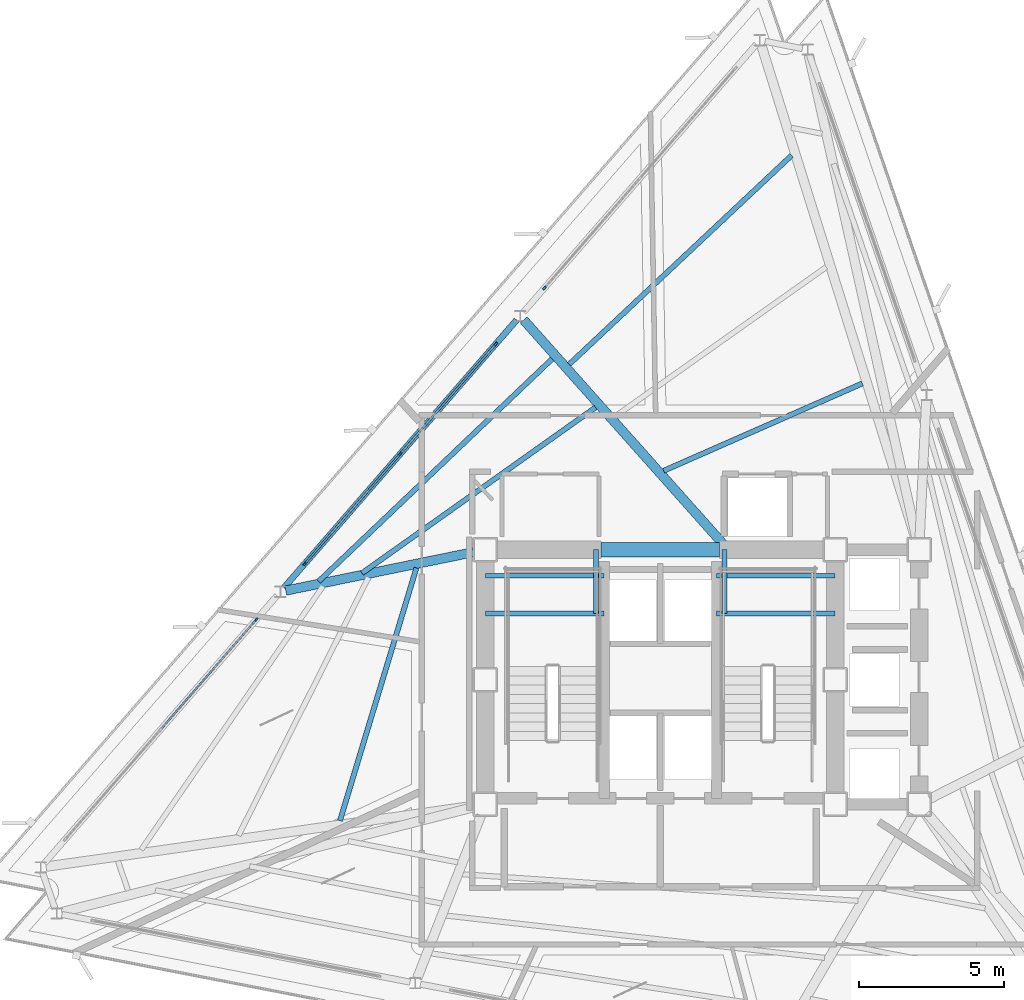
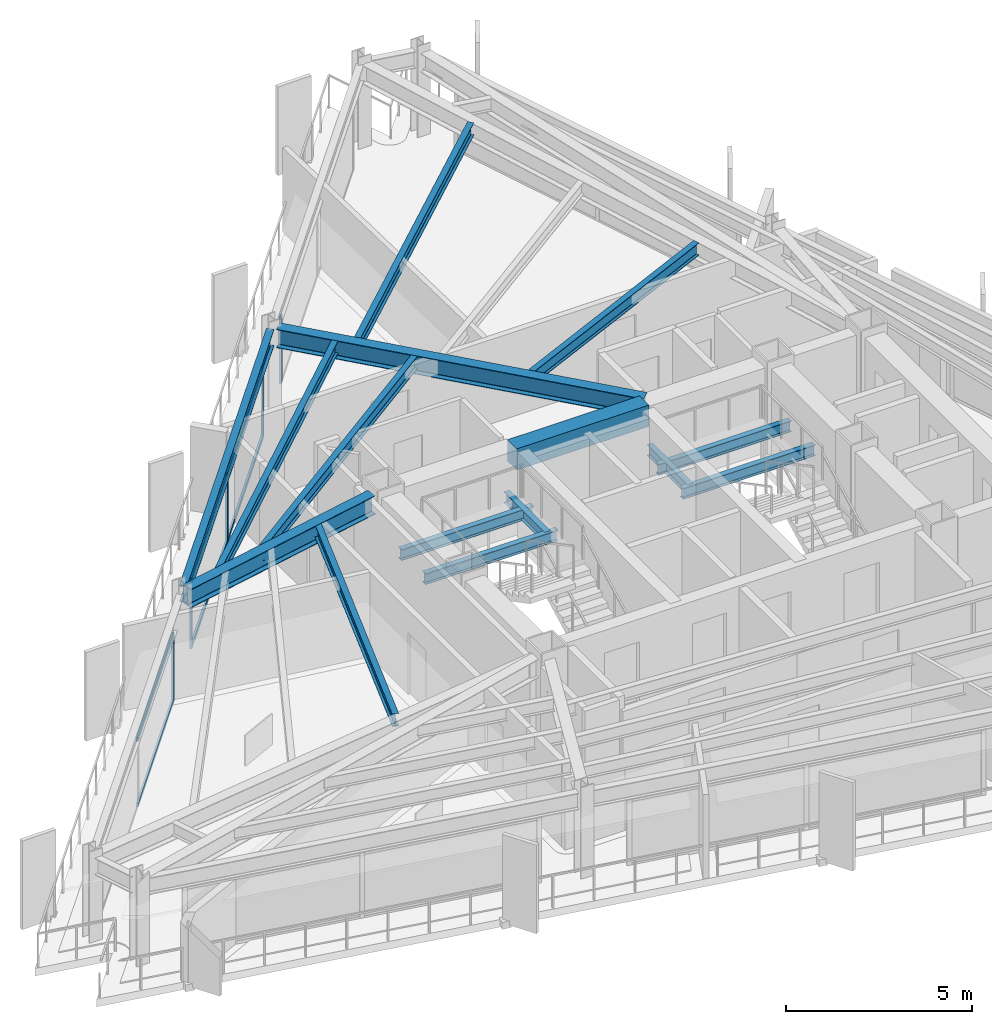
# One storey, part 4 of 13: 15 beams, 11 members, 3 elements without a shape of their own.
"""IFC4 building model written with IfcOpenShell, lengths in metres."""

from ifc_helpers import new_model, si_unit, direction, frame, origin, origin_2d, place, context, subcontext, project, spatial, rectangle, i_section, extrude, material, layer, layer_set, material_profile, profile_set, type_object, element, aggregate, save


model = new_model("IFC4")

# Units and contexts
model_context = context("Model", 3, precision=1e-05, world=origin(), true_north=direction((0.0, 1.0)))
body_context = subcontext(model_context, "Body", "Model", "MODEL_VIEW")
ifc_project = project(units=[si_unit("LENGTHUNIT", "METRE"), si_unit("AREAUNIT", "SQUARE_METRE"), si_unit("VOLUMEUNIT", "CUBIC_METRE"), si_unit("PLANEANGLEUNIT", "RADIAN"), si_unit("MASSUNIT", "GRAM", prefix="KILO")], contexts=[model_context])

# Site, building, storey
site_placement = place(None, origin())
site = spatial("IfcSite", under=ifc_project, at=site_placement, CompositionType="ELEMENT")
building_placement = place(site_placement, origin())
building = spatial("IfcBuilding", under=site, at=building_placement, Name="Rocaltana Carrier Exchange", CompositionType="ELEMENT")
storey_placement = place(building_placement, frame((0.0, 0.0, 159.360107421875)))
storey = spatial("IfcBuildingStorey", under=building, at=storey_placement, Name="L50", CompositionType="ELEMENT", Elevation=159.360107421875)

# Curtain wall, member
ifc_material_1 = material(Name="Aluminium 6063-T6", Category="aluminium")
ifc_layer = layer(ifc_material_1, 0.135009765625)
ifc_layer_set = layer_set([ifc_layer], Name="Aluminium 6063-T6")
curtain_wall_type = type_object("IfcCurtainWallType", Name="Upper-Mid Acoustic Curtain Wall CW-04", PredefinedType="NOTDEFINED", material=ifc_layer_set)
curtain_wall_1_placement = place(storey_placement, origin())
curtain_wall_1 = element("IfcCurtainWall", 1, at=curtain_wall_1_placement, inside=storey, type_object=curtain_wall_type, Name="L50 CW-04 Run CW-L50-F2S1", PredefinedType="NOTDEFINED")
ifc_material_2 = material(Name="Aluminium 6063-T6", Category="aluminium")
ifc_material_profile_1 = material_profile(ifc_material_2, rectangle(XDim=0.06494140625, YDim=0.135009765625, at=origin_2d()), Name="AL-65X135")
ifc_profile_set_1 = profile_set([ifc_material_profile_1], Name="Aluminium 6063-T6")
member_type_1 = type_object("IfcMemberType", Name="CW-04 Mullion AL-65X135", PredefinedType="MULLION", material=ifc_profile_set_1)
member_1_placement = place(storey_placement, frame((-4.005859375, 13.55126953125, 0.0), z_axis=(0.0, 0.0, 1.0), x_axis=(0.75471173919, -0.656056545375, 0.0)))
member_1 = element("IfcMember", 2, at=member_1_placement, type_object=member_type_1, Name="CW-04 mullion 3", PredefinedType="MULLION", context=body_context, shape_type="SweptSolid", body=[
    extrude(rectangle(XDim=0.06494140625, YDim=0.135009765625, at=origin_2d()), origin(), (0.0, 0.0, 1.0), 2.2177734375),
])
aggregate(curtain_wall_1, [member_1])

# Curtain wall, members
curtain_wall_2_placement = place(storey_placement, origin())
curtain_wall_2 = element("IfcCurtainWall", 3, at=curtain_wall_2_placement, inside=storey, type_object=curtain_wall_type, Name="L50 CW-04 Run CW-L50-F2S2", PredefinedType="NOTDEFINED")
member_2_placement = place(storey_placement, frame((-5.688720703125, 11.615478515625, 0.0), z_axis=(0.0, 0.0, 1.0), x_axis=(0.75471173919, -0.656056545375, 0.0)))
member_2 = element("IfcMember", 4, at=member_2_placement, type_object=member_type_1, Name="CW-04 mullion 1", PredefinedType="MULLION", context=body_context, shape_type="SweptSolid", body=[
    extrude(rectangle(XDim=0.06494140625, YDim=0.135009765625, at=origin_2d()), origin(), (0.0, 0.0, 1.0), 2.2177734375),
])
member_3_placement = place(storey_placement, frame((-8.9912109375, 7.816162109375, 0.0), z_axis=(0.0, 0.0, 1.0), x_axis=(0.75471173919, -0.656056545375, 0.0)))
member_3 = element("IfcMember", 5, at=member_3_placement, type_object=member_type_1, Name="CW-04 mullion 2", PredefinedType="MULLION", context=body_context, shape_type="SweptSolid", body=[
    extrude(rectangle(XDim=0.06494140625, YDim=0.135009765625, at=origin_2d()), origin(), (0.0, 0.0, 1.0), 2.2177734375),
])
member_4_placement = place(storey_placement, frame((-12.2939453125, 4.016845703125, 0.0), z_axis=(0.0, 0.0, 1.0), x_axis=(0.75471173919, -0.656056545375, 0.0)))
member_4 = element("IfcMember", 6, at=member_4_placement, type_object=member_type_1, Name="CW-04 mullion 3", PredefinedType="MULLION", context=body_context, shape_type="SweptSolid", body=[
    extrude(rectangle(XDim=0.06494140625, YDim=0.135009765625, at=origin_2d()), origin(), (0.0, 0.0, 1.0), 2.2177734375),
])

# Curtain wall, member
curtain_wall_3_placement = place(storey_placement, origin())
curtain_wall_3 = element("IfcCurtainWall", 7, at=curtain_wall_3_placement, inside=storey, type_object=curtain_wall_type, Name="L50 CW-04 Run CW-L50-F2S3", PredefinedType="NOTDEFINED")
member_5_placement = place(storey_placement, frame((-13.976806640625, 2.080810546875, 0.0), z_axis=(0.0, 0.0, 1.0), x_axis=(0.75471173919, -0.656056545375, 0.0)))
member_5 = element("IfcMember", 8, at=member_5_placement, type_object=member_type_1, Name="CW-04 mullion 1", PredefinedType="MULLION", context=body_context, shape_type="SweptSolid", body=[
    extrude(rectangle(XDim=0.06494140625, YDim=0.135009765625, at=origin_2d()), origin(), (0.0, 0.0, 1.0), 2.2177734375),
])

# Member
ifc_material_3 = material(Name="Aluminium 6063-T6", Category="aluminium")
ifc_material_profile_2 = material_profile(ifc_material_3, rectangle(XDim=0.06494140625, YDim=0.135009765625, at=origin_2d()), Name="AL-65X135")
ifc_profile_set_2 = profile_set([ifc_material_profile_2], Name="Aluminium 6063-T6")
member_type_2 = type_object("IfcMemberType", Name="CW-04 Transom AL-65X135", PredefinedType="USERDEFINED", material=ifc_profile_set_2)
member_6_placement = place(storey_placement, frame((-5.7099609375, 11.5908203125, 0.032470703125), z_axis=(-0.656055850486, -0.754712343243, 0.0), x_axis=(0.754712343243, -0.656055850486, 0.0)))
member_6 = element("IfcMember", 9, at=member_6_placement, type_object=member_type_2, Name="CW-04 transom 1.1", ObjectType="TRANSOM", PredefinedType="USERDEFINED", context=body_context, shape_type="SweptSolid", body=[
    extrude(rectangle(XDim=0.06494140625, YDim=0.135009765625, at=origin_2d()), origin(), (0.0, 0.0, 1.0), 4.968994140625),
])

member_7_placement = place(storey_placement, frame((-5.7099609375, 11.5908203125, 2.185302734375), z_axis=(-0.656055850486, -0.754712343243, 0.0), x_axis=(0.754712343243, -0.656055850486, 0.0)))
member_7 = element("IfcMember", 10, at=member_7_placement, type_object=member_type_2, Name="CW-04 transom 1.2", ObjectType="TRANSOM", PredefinedType="USERDEFINED", context=body_context, shape_type="SweptSolid", body=[
    extrude(rectangle(XDim=0.06494140625, YDim=0.135009765625, at=origin_2d()), origin(), (0.0, 0.0, 1.0), 4.968994140625),
])

member_8_placement = place(storey_placement, frame((-9.0126953125, 7.79150390625, 0.032470703125), z_axis=(-0.656055850486, -0.754712343243, 0.0), x_axis=(0.754712343243, -0.656055850486, 0.0)))
member_8 = element("IfcMember", 11, at=member_8_placement, type_object=member_type_2, Name="CW-04 transom 2.1", ObjectType="TRANSOM", PredefinedType="USERDEFINED", context=body_context, shape_type="SweptSolid", body=[
    extrude(rectangle(XDim=0.06494140625, YDim=0.135009765625, at=origin_2d()), origin(), (0.0, 0.0, 1.0), 4.968994140625),
])

member_9_placement = place(storey_placement, frame((-9.0126953125, 7.79150390625, 2.185302734375), z_axis=(-0.656055850486, -0.754712343243, 0.0), x_axis=(0.754712343243, -0.656055850486, 0.0)))
member_9 = element("IfcMember", 12, at=member_9_placement, type_object=member_type_2, Name="CW-04 transom 2.2", ObjectType="TRANSOM", PredefinedType="USERDEFINED", context=body_context, shape_type="SweptSolid", body=[
    extrude(rectangle(XDim=0.06494140625, YDim=0.135009765625, at=origin_2d()), origin(), (0.0, 0.0, 1.0), 4.968994140625),
])

aggregate(curtain_wall_2, [member_2, member_3, member_4, member_6, member_7, member_8, member_9])

member_10_placement = place(storey_placement, frame((-13.998046875, 2.056396484375, 0.032470703125), z_axis=(-0.656055850486, -0.754712343243, 0.0), x_axis=(0.754712343243, -0.656055850486, 0.0)))
member_10 = element("IfcMember", 13, at=member_10_placement, type_object=member_type_2, Name="CW-04 transom 1.1", ObjectType="TRANSOM", PredefinedType="USERDEFINED", context=body_context, shape_type="SweptSolid", body=[
    extrude(rectangle(XDim=0.06494140625, YDim=0.135009765625, at=origin_2d()), origin(), (0.0, 0.0, 1.0), 4.968994140625),
])

member_11_placement = place(storey_placement, frame((-13.998046875, 2.056396484375, 2.185302734375), z_axis=(-0.656055850486, -0.754712343243, 0.0), x_axis=(0.754712343243, -0.656055850486, 0.0)))
member_11 = element("IfcMember", 14, at=member_11_placement, type_object=member_type_2, Name="CW-04 transom 1.2", ObjectType="TRANSOM", PredefinedType="USERDEFINED", context=body_context, shape_type="SweptSolid", body=[
    extrude(rectangle(XDim=0.06494140625, YDim=0.135009765625, at=origin_2d()), origin(), (0.0, 0.0, 1.0), 4.968994140625),
])

aggregate(curtain_wall_3, [member_5, member_10, member_11])

# Beams
ifc_material_4 = material(Name="Concrete C60/75", Category="concrete")
ifc_material_profile_3 = material_profile(ifc_material_4, rectangle(XDim=0.5, YDim=0.699951171875, at=origin_2d()), Name="RC-BM-500X700")
ifc_profile_set_3 = profile_set([ifc_material_profile_3], Name="Concrete C60/75")
beam_type_1 = type_object("IfcBeamType", Name="Core Coupling Lintel 500x700", PredefinedType="LINTEL", material=ifc_profile_set_3)
beam_1_placement = place(storey_placement, frame((-2.050048828125, 4.5, 2.43798828125), z_axis=(1.0, 0.0, 0.0), x_axis=(0.0, 1.0, 0.0)))
element("IfcBeam", 15, at=beam_1_placement, inside=storey, type_object=beam_type_1, Name="L50 Core Coupling Lintel CL-N", PredefinedType="LINTEL", context=body_context, shape_type="SweptSolid", body=[
    extrude(rectangle(XDim=0.5, YDim=0.699951171875, at=origin_2d()), origin(), (0.0, 0.0, 1.0), 4.10009765625),
])
ifc_material_5 = material(Name="Steel S355", Category="steel")
ifc_material_profile_4 = material_profile(ifc_material_5, i_section(OverallWidth=0.172119140625, OverallDepth=0.35791015625, WebThickness=0.0078125, FlangeThickness=0.01318359375, FilletRadius=0.011962890625, at=origin_2d()), Name="W14X38")
ifc_profile_set_4 = profile_set([ifc_material_profile_4], Name="Steel S355")
beam_type_2 = type_object("IfcBeamType", Name="Floor Joist W14X38", PredefinedType="JOIST", material=ifc_profile_set_4)
for number, where, z_axis, x_axis, name in (
    (16, (-6.050048828125, 2.300048828125, 1.140869140625), (1.0, 0.0, 0.0), (0.0, 1.0, 0.0), "L50 ST-1 Landing Carrier 1"),
    (17, (1.93994140625, 2.300048828125, 1.140869140625), (1.0, 0.0, 0.0), (0.0, 1.0, 0.0), "L50 ST-2 Landing Carrier 1"),
    (18, (-6.050048828125, 3.60009765625, 1.140869140625), (1.0, 0.0, 0.0), (0.0, 1.0, 0.0), "L50 ST-1 Landing Carrier 2"),
    (19, (1.93994140625, 3.60009765625, 1.140869140625), (1.0, 0.0, 0.0), (0.0, 1.0, 0.0), "L50 ST-2 Landing Carrier 2"),
):
    element("IfcBeam", number, at=place(storey_placement, frame(where, z_axis=z_axis, x_axis=x_axis)), inside=storey, type_object=beam_type_2, Name=name, PredefinedType="JOIST", context=body_context, shape_type="SweptSolid", body=[
        extrude(i_section(OverallWidth=0.172119140625, OverallDepth=0.35791015625, WebThickness=0.0078125, FlangeThickness=0.01318359375, FilletRadius=0.011962890625, at=origin_2d()), origin(), (0.0, 0.0, 1.0), 4.110107421875),
    ])
for number, where, z_axis, x_axis, name in (
    (20, (-2.219970703125, 2.300048828125, 1.140869140625), (0.0, 1.0, 0.0), (-1.0, 0.0, 0.0), "L50 ST-1 Landing Cross Trimmer"),
    (21, (2.219970703125, 2.300048828125, 1.140869140625), (0.0, 1.0, 0.0), (-1.0, 0.0, 0.0), "L50 ST-2 Landing Cross Trimmer"),
):
    element("IfcBeam", number, at=place(storey_placement, frame(where, z_axis=z_axis, x_axis=x_axis)), inside=storey, type_object=beam_type_2, Name=name, PredefinedType="JOIST", context=body_context, shape_type="SweptSolid", body=[
        extrude(i_section(OverallWidth=0.172119140625, OverallDepth=0.35791015625, WebThickness=0.0078125, FlangeThickness=0.01318359375, FilletRadius=0.011962890625, at=origin_2d()), origin(), (0.0, 0.0, 1.0), 2.199951171875),
    ])
ifc_material_6 = material(Name="Steel S355", Category="steel")
ifc_material_profile_5 = material_profile(ifc_material_6, i_section(OverallWidth=0.179931640625, OverallDepth=0.4130859375, WebThickness=0.009765625, FlangeThickness=0.01611328125, FilletRadius=0.012939453125, at=origin_2d()), Name="W16X50")
ifc_profile_set_5 = profile_set([ifc_material_profile_5], Name="Steel S355")
beam_type_3 = type_object("IfcBeamType", Name="Floor Joist W16X50", PredefinedType="JOIST", material=ifc_profile_set_5)
beam_2_placement = place(storey_placement, frame((6.9892578125, 10.251220703125, 2.581298828125), z_axis=(-0.915437763767, -0.402459564018, 0.0), x_axis=(0.402459564018, -0.915437763767, 0.0)))
element("IfcBeam", 22, at=beam_2_placement, inside=storey, type_object=beam_type_3, Name="FJ-L50-05-1", PredefinedType="JOIST", context=body_context, shape_type="SweptSolid", body=[
    extrude(i_section(OverallWidth=0.179931640625, OverallDepth=0.4130859375, WebThickness=0.009765625, FlangeThickness=0.01611328125, FilletRadius=0.012939453125, at=origin_2d()), origin(), (0.0, 0.0, 1.0), 7.50634765625),
])
beam_3_placement = place(storey_placement, frame((4.539306640625, 18.135009765625, 2.581298828125), z_axis=(-0.728861369792, -0.684661305774, 0.0), x_axis=(0.684661305774, -0.728861369792, 0.0)))
element("IfcBeam", 23, at=beam_3_placement, inside=storey, type_object=beam_type_3, Name="FJ-L50-05-3", PredefinedType="JOIST", context=body_context, shape_type="SweptSolid", body=[
    extrude(i_section(OverallWidth=0.179931640625, OverallDepth=0.4130859375, WebThickness=0.009765625, FlangeThickness=0.01611328125, FilletRadius=0.012939453125, at=origin_2d()), origin(), (0.0, 0.0, 1.0), 10.550048828125),
])
beam_4_placement = place(storey_placement, frame((-2.239501953125, 9.42138671875, 2.581298828125), z_axis=(-0.815531916739, -0.578712098353, 0.0), x_axis=(0.578712098353, -0.815531916739, 0.0)))
element("IfcBeam", 24, at=beam_4_placement, inside=storey, type_object=beam_type_3, Name="FJ-L50-06-2", PredefinedType="JOIST", context=body_context, shape_type="SweptSolid", body=[
    extrude(i_section(OverallWidth=0.179931640625, OverallDepth=0.4130859375, WebThickness=0.009765625, FlangeThickness=0.01611328125, FilletRadius=0.012939453125, at=origin_2d()), origin(), (0.0, 0.0, 1.0), 9.90283203125),
])
beam_5_placement = place(storey_placement, frame((-3.736572265625, 11.1015625, 2.581298828125), z_axis=(-0.724047932372, -0.689749658665, 0.0), x_axis=(0.689749658665, -0.724047932372, 0.0)))
element("IfcBeam", 25, at=beam_5_placement, inside=storey, type_object=beam_type_3, Name="FJ-L50-06-3", PredefinedType="JOIST", context=body_context, shape_type="SweptSolid", body=[
    extrude(i_section(OverallWidth=0.179931640625, OverallDepth=0.4130859375, WebThickness=0.009765625, FlangeThickness=0.01611328125, FilletRadius=0.012939453125, at=origin_2d()), origin(), (0.0, 0.0, 1.0), 11.161376953125),
])
beam_6_placement = place(storey_placement, frame((-8.433349609375, 3.871826171875, 2.581298828125), z_axis=(-0.289517060533, -0.957172853596, 0.0), x_axis=(0.957172853596, -0.289517060533, 0.0)))
element("IfcBeam", 26, at=beam_6_placement, inside=storey, type_object=beam_type_3, Name="FJ-L50-07-1", PredefinedType="JOIST", context=body_context, shape_type="SweptSolid", body=[
    extrude(i_section(OverallWidth=0.179931640625, OverallDepth=0.4130859375, WebThickness=0.009765625, FlangeThickness=0.01611328125, FilletRadius=0.012939453125, at=origin_2d()), origin(), (0.0, 0.0, 1.0), 9.135009765625),
])
ifc_material_7 = material(Name="Steel S355", Category="steel")
ifc_material_profile_6 = material_profile(ifc_material_7, i_section(OverallWidth=0.323974609375, OverallDepth=0.611083984375, WebThickness=0.0126953125, FlangeThickness=0.01904296875, FilletRadius=0.01611328125, at=origin_2d()), Name="W24X104")
ifc_profile_set_6 = profile_set([ifc_material_profile_6], Name="Steel S355")
beam_type_4 = type_object("IfcBeamType", Name="Radial Girder W24X104", PredefinedType="BEAM", material=ifc_profile_set_6)
beam_7_placement = place(storey_placement, frame((2.189208984375, 4.6806640625, 2.482421875), z_axis=(-0.664987485629, 0.746854499857, 0.0), x_axis=(-0.746854499857, -0.664987485629, 0.0)))
element("IfcBeam", 27, at=beam_7_placement, inside=storey, type_object=beam_type_4, Name="RG-L50-06", PredefinedType="BEAM", context=body_context, shape_type="SweptSolid", body=[
    extrude(i_section(OverallWidth=0.323974609375, OverallDepth=0.611083984375, WebThickness=0.0126953125, FlangeThickness=0.01904296875, FilletRadius=0.01611328125, at=origin_2d()), origin(), (0.0, 0.0, 1.0), 10.395751953125),
])
beam_8_placement = place(storey_placement, frame((-6.45849609375, 4.416259765625, 2.482421875), z_axis=(-0.979662319108, -0.200653284349, 0.0), x_axis=(0.200653284349, -0.979662319108, 0.0)))
element("IfcBeam", 28, at=beam_8_placement, inside=storey, type_object=beam_type_4, Name="RG-L50-07", PredefinedType="BEAM", context=body_context, shape_type="SweptSolid", body=[
    extrude(i_section(OverallWidth=0.323974609375, OverallDepth=0.611083984375, WebThickness=0.0126953125, FlangeThickness=0.01904296875, FilletRadius=0.01611328125, at=origin_2d()), origin(), (0.0, 0.0, 1.0), 6.6298828125),
])
ifc_material_8 = material(Name="Steel S355", Category="steel")
ifc_material_profile_7 = material_profile(ifc_material_8, i_section(OverallWidth=0.2119140625, OverallDepth=0.5439453125, WebThickness=0.01318359375, FlangeThickness=0.021240234375, FilletRadius=0.014892578125, at=origin_2d()), Name="W21X83")
ifc_profile_set_7 = profile_set([ifc_material_profile_7], Name="Steel S355")
beam_type_5 = type_object("IfcBeamType", Name="Spandrel Edge Beam W21X83", PredefinedType="SPANDREL", material=ifc_profile_set_7)
beam_9_placement = place(storey_placement, frame((-4.968994140625, 12.443359375, 2.515869140625), z_axis=(-0.656047094668, -0.754719954405, 0.0), x_axis=(0.754719954405, -0.656047094668, 0.0)))
element("IfcBeam", 29, at=beam_9_placement, inside=storey, type_object=beam_type_5, Name="SP-L50-06", PredefinedType="SPANDREL", context=body_context, shape_type="SweptSolid", body=[
    extrude(i_section(OverallWidth=0.2119140625, OverallDepth=0.5439453125, WebThickness=0.01318359375, FlangeThickness=0.021240234375, FilletRadius=0.014892578125, at=origin_2d()), origin(), (0.0, 0.0, 1.0), 12.262451171875),
])

save(model, "model.ifc")
